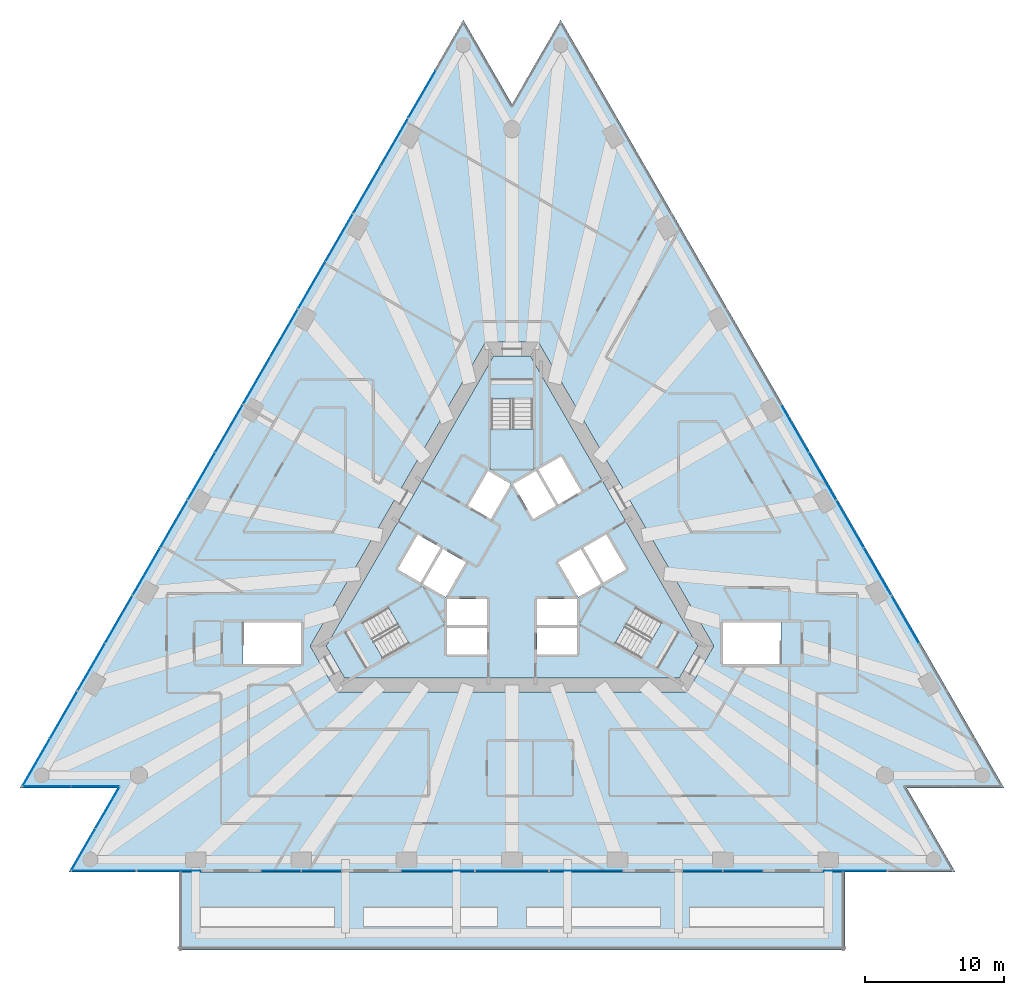
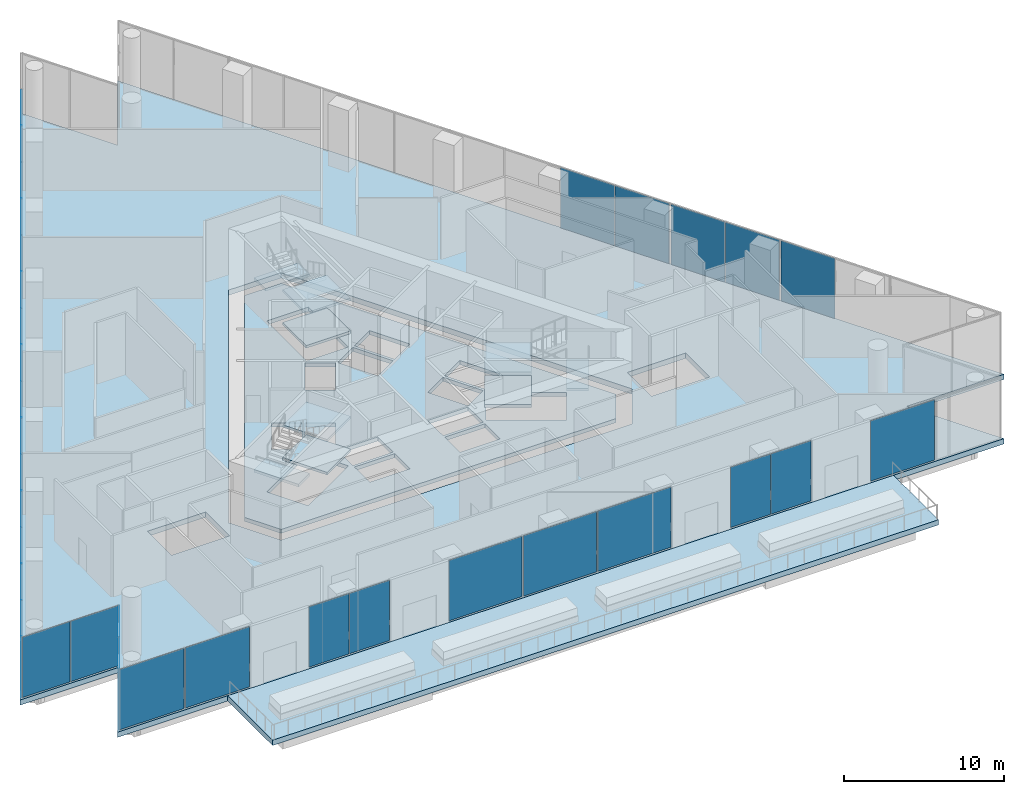
# One storey, part 20 of 28: 34 plates, 12 slabs, 24 elements without a shape of their own.
"""IFC4 building model written with IfcOpenShell, lengths in metres."""

from ifc_helpers import new_model, si_unit, direction, frame, origin, origin_2d, place, context, subcontext, project, spatial, polyline, rectangle, outline, extrude, material, layer, layer_set, layer_usage, type_object, element, aggregate, save


model = new_model("IFC4")

# Units and contexts
model_context = context("Model", 3, precision=1e-05, world=origin(), true_north=direction((0.0, 1.0)))
body_context = subcontext(model_context, "Body", "Model", "MODEL_VIEW")
ifc_project = project(units=[si_unit("LENGTHUNIT", "METRE"), si_unit("AREAUNIT", "SQUARE_METRE"), si_unit("VOLUMEUNIT", "CUBIC_METRE"), si_unit("PLANEANGLEUNIT", "RADIAN"), si_unit("MASSUNIT", "GRAM", prefix="KILO")], contexts=[model_context])

# Site, building, storey
site_placement = place(None, origin())
site = spatial("IfcSite", under=ifc_project, at=site_placement, CompositionType="ELEMENT")
building_placement = place(site_placement, origin())
building = spatial("IfcBuilding", under=site, at=building_placement, Name="Triada Interchange Tower", CompositionType="ELEMENT")
storey_placement = place(building_placement, frame((0.0, 0.0, 30.300048828125)))
storey = spatial("IfcBuildingStorey", under=building, at=storey_placement, Name="L05", CompositionType="ELEMENT", Elevation=30.300048828125)

# Slab
ifc_material_1 = material(Name="Concrete C50/60", Category="concrete")
ifc_layer_1 = layer(ifc_material_1, 0.300048828125)
ifc_layer_set_1 = layer_set([ifc_layer_1], Name="Floor slab 300")
slab_type_1 = type_object("IfcSlabType", Name="Floor slab 300", PredefinedType="FLOOR", material=ifc_layer_set_1)
slab_1_placement = place(storey_placement, frame((0.0, 0.0, -0.300048828125)))
element("IfcSlab", 1, at=slab_1_placement, inside=storey, type_object=slab_type_1, Name="Core floor slab L05 1", PredefinedType="FLOOR", context=body_context, shape_type="SweptSolid", body=[
    extrude(outline(polyline([(13.39501953125, -6.199951171875), (12.06689453125, -8.5), (-12.06689453125, -8.5), (-13.39501953125, -6.199951171875), (-1.327880859375, 14.699951171875), (1.327880859375, 14.699951171875), (13.39501953125, -6.199951171875)]), holes=[polyline([(9.2958984375, -7.09912109375), (10.7958984375, -4.5009765625), (6.466064453125, -2.0009765625), (4.966064453125, -4.59912109375), (9.2958984375, -7.09912109375)]), polyline([(6.7890625, 1.841064453125), (5.14404296875, 0.89111328125), (6.593994140625, -1.6201171875), (8.239013671875, -0.669921875), (6.7890625, 1.841064453125)]), polyline([(4.969970703125, 0.791015625), (3.324951171875, -0.158935546875), (4.77490234375, -2.669921875), (6.419921875, -1.719970703125), (4.969970703125, 0.791015625)]), polyline([(1.89404296875, 6.52001953125), (3.343994140625, 4.009033203125), (4.989013671875, 4.958984375), (3.5390625, 7.469970703125), (1.89404296875, 6.52001953125)]), polyline([(1.800048828125, -4.89990234375), (1.800048828125, -6.800048828125), (4.699951171875, -6.800048828125), (4.699951171875, -4.89990234375), (1.800048828125, -4.89990234375)]), polyline([(1.800048828125, -2.800048828125), (1.800048828125, -4.10107421875), (1.800048828125, -4.699951171875), (4.699951171875, -4.699951171875), (4.699951171875, -2.800048828125), (1.800048828125, -2.800048828125)]), polyline([(1.52490234375, 2.958984375), (1.708984375, 3.06494140625), (3.169921875, 3.908935546875), (1.719970703125, 6.419921875), (0.074951171875, 5.469970703125), (1.52490234375, 2.958984375)]), polyline([(1.5, 11.60009765625), (-1.5, 11.60009765625), (-1.5, 6.60009765625), (1.5, 6.60009765625), (1.5, 11.60009765625)]), polyline([(-1.52490234375, 2.958984375), (-0.074951171875, 5.469970703125), (-1.719970703125, 6.419921875), (-3.169921875, 3.908935546875), (-1.52490234375, 2.958984375)]), polyline([(-4.699951171875, -2.800048828125), (-4.699951171875, -4.699951171875), (-1.800048828125, -4.699951171875), (-1.800048828125, -4.10107421875), (-1.800048828125, -2.800048828125), (-4.699951171875, -2.800048828125)]), polyline([(-4.699951171875, -4.89990234375), (-4.699951171875, -6.800048828125), (-1.800048828125, -6.800048828125), (-1.800048828125, -4.89990234375), (-4.699951171875, -4.89990234375)]), polyline([(-3.324951171875, -0.158935546875), (-3.450927734375, -0.0859375), (-4.969970703125, 0.791015625), (-6.419921875, -1.719970703125), (-4.77490234375, -2.669921875), (-3.324951171875, -0.158935546875)]), polyline([(-10.7958984375, -4.5009765625), (-9.2958984375, -7.09912109375), (-4.966064453125, -4.59912109375), (-6.466064453125, -2.0009765625), (-10.7958984375, -4.5009765625)]), polyline([(-6.593994140625, -1.6201171875), (-5.14404296875, 0.89111328125), (-6.7890625, 1.841064453125), (-8.239013671875, -0.669921875), (-6.593994140625, -1.6201171875)])]), origin(), (0.0, 0.0, 1.0), 0.300048828125),
])

# Curtain wall, plate
ifc_material_2 = material(Name="Aluminium framed glazing", Category="aluminium")
ifc_layer_2 = layer(ifc_material_2, 0.199951171875)
ifc_layer_set_2 = layer_set([ifc_layer_2], Name="Curtain wall Winter garden glazing")
curtain_wall_type = type_object("IfcCurtainWallType", Name="Curtain wall Winter garden glazing", PredefinedType="NOTDEFINED", material=ifc_layer_set_2)
curtain_wall_1_placement = place(storey_placement, origin())
curtain_wall_1 = element("IfcCurtainWall", 2, at=curtain_wall_1_placement, inside=storey, type_object=curtain_wall_type, Name="Winter garden glazing CW001 L05", PredefinedType="NOTDEFINED")
ifc_material_3 = material(Name="Insulated glazing unit", Category="glass")
ifc_layer_3 = layer(ifc_material_3, 0.02392578125)
ifc_layer_set_3 = layer_set([ifc_layer_3], Name="Glazing panel Winter garden glazing 24")
plate_type = type_object("IfcPlateType", Name="Glazing panel Winter garden glazing 24", PredefinedType="CURTAIN_PANEL", material=ifc_layer_set_3)
plate_1_placement = place(storey_placement, frame((-29.424072265625, -22.39990234375, 0.0498046875), z_axis=(0.0, 0.0, 1.0), x_axis=(1.0, 0.0, 0.0)))
plate_1 = element("IfcPlate", 3, at=plate_1_placement, type_object=plate_type, Name="CW001 panel 1.1", PredefinedType="CURTAIN_PANEL", context=body_context, shape_type="SweptSolid", body=[
    extrude(rectangle(XDim=4.617919921875, YDim=0.02392578125, at=origin_2d()), origin(), (0.0, 0.0, 1.0), 4.60009765625),
])
aggregate(curtain_wall_1, [plate_1])

curtain_wall_2_placement = place(storey_placement, origin())
curtain_wall_2 = element("IfcCurtainWall", 4, at=curtain_wall_2_placement, inside=storey, type_object=curtain_wall_type, Name="Winter garden glazing CW002 L05", PredefinedType="NOTDEFINED")
plate_2_placement = place(storey_placement, frame((-24.696044921875, -22.39990234375, 0.0498046875), z_axis=(0.0, 0.0, 1.0), x_axis=(1.0, 0.0, 0.0)))
plate_2 = element("IfcPlate", 5, at=plate_2_placement, type_object=plate_type, Name="CW002 panel 1.1", PredefinedType="CURTAIN_PANEL", context=body_context, shape_type="SweptSolid", body=[
    extrude(rectangle(XDim=4.617919921875, YDim=0.02392578125, at=origin_2d()), origin(), (0.0, 0.0, 1.0), 4.60009765625),
])
aggregate(curtain_wall_2, [plate_2])

# Curtain wall, plates
curtain_wall_3_placement = place(storey_placement, origin())
curtain_wall_3 = element("IfcCurtainWall", 6, at=curtain_wall_3_placement, inside=storey, type_object=curtain_wall_type, Name="Winter garden glazing CW003 L05", PredefinedType="NOTDEFINED")
plate_3_placement = place(storey_placement, frame((-16.65185546875, -22.39990234375, 0.0498046875), z_axis=(0.0, 0.0, 1.0), x_axis=(1.0, 0.0, 0.0)))
plate_3 = element("IfcPlate", 7, at=plate_3_placement, type_object=plate_type, Name="CW003 panel 1.1", PredefinedType="CURTAIN_PANEL", context=body_context, shape_type="SweptSolid", body=[
    extrude(rectangle(XDim=2.87060546875, YDim=0.02392578125, at=origin_2d()), origin(), (0.0, 0.0, 1.0), 4.60009765625),
])
plate_4_placement = place(storey_placement, frame((-13.731201171875, -22.39990234375, 0.0498046875), z_axis=(0.0, 0.0, 1.0), x_axis=(1.0, 0.0, 0.0)))
plate_4 = element("IfcPlate", 8, at=plate_4_placement, type_object=plate_type, Name="CW003 panel 2.1", PredefinedType="CURTAIN_PANEL", context=body_context, shape_type="SweptSolid", body=[
    extrude(rectangle(XDim=2.87060546875, YDim=0.02392578125, at=origin_2d()), origin(), (0.0, 0.0, 1.0), 4.60009765625),
])
aggregate(curtain_wall_3, [plate_3, plate_4])

# Curtain wall, plate
curtain_wall_4_placement = place(storey_placement, origin())
curtain_wall_4 = element("IfcCurtainWall", 9, at=curtain_wall_4_placement, inside=storey, type_object=curtain_wall_type, Name="Winter garden glazing CW004 L05", PredefinedType="NOTDEFINED")
plate_5_placement = place(storey_placement, frame((-5.366455078125, -22.39990234375, 0.0498046875), z_axis=(0.0, 0.0, 1.0), x_axis=(1.0, 0.0, 0.0)))
plate_5 = element("IfcPlate", 10, at=plate_5_placement, type_object=plate_type, Name="CW004 panel 1.1", PredefinedType="CURTAIN_PANEL", context=body_context, shape_type="SweptSolid", body=[
    extrude(rectangle(XDim=5.259033203125, YDim=0.02392578125, at=origin_2d()), origin(), (0.0, 0.0, 1.0), 4.60009765625),
])
aggregate(curtain_wall_4, [plate_5])

curtain_wall_5_placement = place(storey_placement, origin())
curtain_wall_5 = element("IfcCurtainWall", 11, at=curtain_wall_5_placement, inside=storey, type_object=curtain_wall_type, Name="Winter garden glazing CW005 L05", PredefinedType="NOTDEFINED")
plate_6_placement = place(storey_placement, frame((0.0, -22.39990234375, 0.0498046875), z_axis=(0.0, 0.0, 1.0), x_axis=(1.0, 0.0, 0.0)))
plate_6 = element("IfcPlate", 12, at=plate_6_placement, type_object=plate_type, Name="CW005 panel 1.1", PredefinedType="CURTAIN_PANEL", context=body_context, shape_type="SweptSolid", body=[
    extrude(rectangle(XDim=5.25390625, YDim=0.02392578125, at=origin_2d()), origin(), (0.0, 0.0, 1.0), 4.60009765625),
])
aggregate(curtain_wall_5, [plate_6])

curtain_wall_6_placement = place(storey_placement, origin())
curtain_wall_6 = element("IfcCurtainWall", 13, at=curtain_wall_6_placement, inside=storey, type_object=curtain_wall_type, Name="Winter garden glazing CW006 L05", PredefinedType="NOTDEFINED")
plate_7_placement = place(storey_placement, frame((5.366455078125, -22.39990234375, 0.0498046875), z_axis=(0.0, 0.0, 1.0), x_axis=(1.0, 0.0, 0.0)))
plate_7 = element("IfcPlate", 14, at=plate_7_placement, type_object=plate_type, Name="CW006 panel 1.1", PredefinedType="CURTAIN_PANEL", context=body_context, shape_type="SweptSolid", body=[
    extrude(rectangle(XDim=5.259033203125, YDim=0.02392578125, at=origin_2d()), origin(), (0.0, 0.0, 1.0), 4.60009765625),
])
aggregate(curtain_wall_6, [plate_7])

# Curtain wall, plates
curtain_wall_7_placement = place(storey_placement, origin())
curtain_wall_7 = element("IfcCurtainWall", 15, at=curtain_wall_7_placement, inside=storey, type_object=curtain_wall_type, Name="Winter garden glazing CW007 L05", PredefinedType="NOTDEFINED")
plate_8_placement = place(storey_placement, frame((13.731201171875, -22.39990234375, 0.0498046875), z_axis=(0.0, 0.0, 1.0), x_axis=(1.0, 0.0, 0.0)))
plate_8 = element("IfcPlate", 16, at=plate_8_placement, type_object=plate_type, Name="CW007 panel 1.1", PredefinedType="CURTAIN_PANEL", context=body_context, shape_type="SweptSolid", body=[
    extrude(rectangle(XDim=2.87060546875, YDim=0.02392578125, at=origin_2d()), origin(), (0.0, 0.0, 1.0), 4.60009765625),
])
plate_9_placement = place(storey_placement, frame((16.65185546875, -22.39990234375, 0.0498046875), z_axis=(0.0, 0.0, 1.0), x_axis=(1.0, 0.0, 0.0)))
plate_9 = element("IfcPlate", 17, at=plate_9_placement, type_object=plate_type, Name="CW007 panel 2.1", PredefinedType="CURTAIN_PANEL", context=body_context, shape_type="SweptSolid", body=[
    extrude(rectangle(XDim=2.87060546875, YDim=0.02392578125, at=origin_2d()), origin(), (0.0, 0.0, 1.0), 4.60009765625),
])
aggregate(curtain_wall_7, [plate_8, plate_9])

# Curtain wall, plate
curtain_wall_8_placement = place(storey_placement, origin())
curtain_wall_8 = element("IfcCurtainWall", 18, at=curtain_wall_8_placement, inside=storey, type_object=curtain_wall_type, Name="Winter garden glazing CW008 L05", PredefinedType="NOTDEFINED")
plate_10_placement = place(storey_placement, frame((24.696044921875, -22.39990234375, 0.0498046875), z_axis=(0.0, 0.0, 1.0), x_axis=(1.0, 0.0, 0.0)))
plate_10 = element("IfcPlate", 19, at=plate_10_placement, type_object=plate_type, Name="CW008 panel 1.1", PredefinedType="CURTAIN_PANEL", context=body_context, shape_type="SweptSolid", body=[
    extrude(rectangle(XDim=4.617919921875, YDim=0.02392578125, at=origin_2d()), origin(), (0.0, 0.0, 1.0), 4.60009765625),
])
aggregate(curtain_wall_8, [plate_10])

curtain_wall_9_placement = place(storey_placement, origin())
curtain_wall_9 = element("IfcCurtainWall", 20, at=curtain_wall_9_placement, inside=storey, type_object=curtain_wall_type, Name="Winter garden glazing CW013 L05", PredefinedType="NOTDEFINED")
plate_11_placement = place(storey_placement, frame((28.345947265625, -4.2958984375, 0.0498046875), z_axis=(0.0, 0.0, 1.0), x_axis=(-0.499947913852, 0.866055473648, 0.0)))
plate_11 = element("IfcPlate", 21, at=plate_11_placement, type_object=plate_type, Name="CW013 panel 2.1", PredefinedType="CURTAIN_PANEL", context=body_context, shape_type="SweptSolid", body=[
    extrude(rectangle(XDim=3.892333984375, YDim=0.02392578125, at=origin_2d()), origin(), (0.0, 0.0, 1.0), 4.60009765625),
])
aggregate(curtain_wall_9, [plate_11])

# Curtain wall, plates
curtain_wall_10_placement = place(storey_placement, origin())
curtain_wall_10 = element("IfcCurtainWall", 22, at=curtain_wall_10_placement, inside=storey, type_object=curtain_wall_type, Name="Winter garden glazing CW014 L05", PredefinedType="NOTDEFINED")
plate_12_placement = place(storey_placement, frame((26.343994140625, -0.8291015625, 0.0498046875), z_axis=(0.0, 0.0, 1.0), x_axis=(-0.499947913852, 0.866055473648, 0.0)))
plate_12 = element("IfcPlate", 23, at=plate_12_placement, type_object=plate_type, Name="CW014 panel 1.1", PredefinedType="CURTAIN_PANEL", context=body_context, shape_type="SweptSolid", body=[
    extrude(rectangle(XDim=3.892333984375, YDim=0.02392578125, at=origin_2d()), origin(), (0.0, 0.0, 1.0), 4.60009765625),
])
plate_13_placement = place(storey_placement, frame((24.373046875, 2.585205078125, 0.0498046875), z_axis=(0.0, 0.0, 1.0), x_axis=(-0.499947913852, 0.866055473648, 0.0)))
plate_13 = element("IfcPlate", 24, at=plate_13_placement, type_object=plate_type, Name="CW014 panel 2.1", PredefinedType="CURTAIN_PANEL", context=body_context, shape_type="SweptSolid", body=[
    extrude(rectangle(XDim=3.892333984375, YDim=0.02392578125, at=origin_2d()), origin(), (0.0, 0.0, 1.0), 4.60009765625),
])
aggregate(curtain_wall_10, [plate_12, plate_13])

curtain_wall_11_placement = place(storey_placement, origin())
curtain_wall_11 = element("IfcCurtainWall", 25, at=curtain_wall_11_placement, inside=storey, type_object=curtain_wall_type, Name="Winter garden glazing CW015 L05", PredefinedType="NOTDEFINED")
plate_14_placement = place(storey_placement, frame((22.37109375, 6.052001953125, 0.0498046875), z_axis=(0.0, 0.0, 1.0), x_axis=(-0.499893351442, 0.866086968603, 0.0)))
plate_14 = element("IfcPlate", 26, at=plate_14_placement, type_object=plate_type, Name="CW015 panel 1.1", PredefinedType="CURTAIN_PANEL", context=body_context, shape_type="SweptSolid", body=[
    extrude(rectangle(XDim=3.892822265625, YDim=0.02392578125, at=origin_2d()), origin(), (0.0, 0.0, 1.0), 4.60009765625),
])
plate_15_placement = place(storey_placement, frame((20.39990234375, 9.467041015625, 0.0498046875), z_axis=(0.0, 0.0, 1.0), x_axis=(-0.499893351442, 0.866086968603, 0.0)))
plate_15 = element("IfcPlate", 27, at=plate_15_placement, type_object=plate_type, Name="CW015 panel 2.1", PredefinedType="CURTAIN_PANEL", context=body_context, shape_type="SweptSolid", body=[
    extrude(rectangle(XDim=3.892822265625, YDim=0.02392578125, at=origin_2d()), origin(), (0.0, 0.0, 1.0), 4.60009765625),
])
aggregate(curtain_wall_11, [plate_14, plate_15])

# Curtain wall, plate
curtain_wall_12_placement = place(storey_placement, origin())
curtain_wall_12 = element("IfcCurtainWall", 28, at=curtain_wall_12_placement, inside=storey, type_object=curtain_wall_type, Name="Winter garden glazing CW022 L05", PredefinedType="NOTDEFINED")
plate_16_placement = place(storey_placement, frame((-6.478271484375, 33.578125, 0.0498046875), z_axis=(0.0, 0.0, 1.0), x_axis=(-0.499958648825, -0.86604927658, 0.0)))
plate_16 = element("IfcPlate", 29, at=plate_16_placement, type_object=plate_type, Name="CW022 panel 2.1", PredefinedType="CURTAIN_PANEL", context=body_context, shape_type="SweptSolid", body=[
    extrude(rectangle(XDim=3.895263671875, YDim=0.02392578125, at=origin_2d()), origin(), (0.0, 0.0, 1.0), 4.60009765625),
])
aggregate(curtain_wall_12, [plate_16])

# Curtain wall, plates
curtain_wall_13_placement = place(storey_placement, origin())
curtain_wall_13 = element("IfcCurtainWall", 30, at=curtain_wall_13_placement, inside=storey, type_object=curtain_wall_type, Name="Winter garden glazing CW023 L05", PredefinedType="NOTDEFINED")
plate_17_placement = place(storey_placement, frame((-8.48095703125, 30.110107421875, 0.0498046875), z_axis=(0.0, 0.0, 1.0), x_axis=(-0.499947913852, -0.866055473648, 0.0)))
plate_17 = element("IfcPlate", 31, at=plate_17_placement, type_object=plate_type, Name="CW023 panel 1.1", PredefinedType="CURTAIN_PANEL", context=body_context, shape_type="SweptSolid", body=[
    extrude(rectangle(XDim=3.892333984375, YDim=0.02392578125, at=origin_2d()), origin(), (0.0, 0.0, 1.0), 4.60009765625),
])
plate_18_placement = place(storey_placement, frame((-10.451904296875, 26.69580078125, 0.0498046875), z_axis=(0.0, 0.0, 1.0), x_axis=(-0.499947913852, -0.866055473648, 0.0)))
plate_18 = element("IfcPlate", 32, at=plate_18_placement, type_object=plate_type, Name="CW023 panel 2.1", PredefinedType="CURTAIN_PANEL", context=body_context, shape_type="SweptSolid", body=[
    extrude(rectangle(XDim=3.892333984375, YDim=0.02392578125, at=origin_2d()), origin(), (0.0, 0.0, 1.0), 4.60009765625),
])
aggregate(curtain_wall_13, [plate_17, plate_18])

curtain_wall_14_placement = place(storey_placement, origin())
curtain_wall_14 = element("IfcCurtainWall", 33, at=curtain_wall_14_placement, inside=storey, type_object=curtain_wall_type, Name="Winter garden glazing CW024 L05", PredefinedType="NOTDEFINED")
plate_19_placement = place(storey_placement, frame((-12.4541015625, 23.229248046875, 0.0498046875), z_axis=(0.0, 0.0, 1.0), x_axis=(-0.499947913852, -0.866055473648, 0.0)))
plate_19 = element("IfcPlate", 34, at=plate_19_placement, type_object=plate_type, Name="CW024 panel 1.1", PredefinedType="CURTAIN_PANEL", context=body_context, shape_type="SweptSolid", body=[
    extrude(rectangle(XDim=3.892333984375, YDim=0.02392578125, at=origin_2d()), origin(), (0.0, 0.0, 1.0), 4.60009765625),
])
plate_20_placement = place(storey_placement, frame((-14.425048828125, 19.81494140625, 0.0498046875), z_axis=(0.0, 0.0, 1.0), x_axis=(-0.499947913852, -0.866055473648, 0.0)))
plate_20 = element("IfcPlate", 35, at=plate_20_placement, type_object=plate_type, Name="CW024 panel 2.1", PredefinedType="CURTAIN_PANEL", context=body_context, shape_type="SweptSolid", body=[
    extrude(rectangle(XDim=3.892333984375, YDim=0.02392578125, at=origin_2d()), origin(), (0.0, 0.0, 1.0), 4.60009765625),
])
aggregate(curtain_wall_14, [plate_19, plate_20])

curtain_wall_15_placement = place(storey_placement, origin())
curtain_wall_15 = element("IfcCurtainWall", 36, at=curtain_wall_15_placement, inside=storey, type_object=curtain_wall_type, Name="Winter garden glazing CW025 L05", PredefinedType="NOTDEFINED")
plate_21_placement = place(storey_placement, frame((-16.427001953125, 16.347900390625, 0.0498046875), z_axis=(0.0, 0.0, 1.0), x_axis=(-0.499893351442, -0.866086968603, 0.0)))
plate_21 = element("IfcPlate", 37, at=plate_21_placement, type_object=plate_type, Name="CW025 panel 1.1", PredefinedType="CURTAIN_PANEL", context=body_context, shape_type="SweptSolid", body=[
    extrude(rectangle(XDim=3.892822265625, YDim=0.02392578125, at=origin_2d()), origin(), (0.0, 0.0, 1.0), 4.60009765625),
])
plate_22_placement = place(storey_placement, frame((-18.39794921875, 12.93310546875, 0.0498046875), z_axis=(0.0, 0.0, 1.0), x_axis=(-0.499893351442, -0.866086968603, 0.0)))
plate_22 = element("IfcPlate", 38, at=plate_22_placement, type_object=plate_type, Name="CW025 panel 2.1", PredefinedType="CURTAIN_PANEL", context=body_context, shape_type="SweptSolid", body=[
    extrude(rectangle(XDim=3.892822265625, YDim=0.02392578125, at=origin_2d()), origin(), (0.0, 0.0, 1.0), 4.60009765625),
])
aggregate(curtain_wall_15, [plate_21, plate_22])

curtain_wall_16_placement = place(storey_placement, origin())
curtain_wall_16 = element("IfcCurtainWall", 39, at=curtain_wall_16_placement, inside=storey, type_object=curtain_wall_type, Name="Winter garden glazing CW026 L05", PredefinedType="NOTDEFINED")
plate_23_placement = place(storey_placement, frame((-20.39990234375, 9.467041015625, 0.0498046875), z_axis=(0.0, 0.0, 1.0), x_axis=(-0.499893351442, -0.866086968603, 0.0)))
plate_23 = element("IfcPlate", 40, at=plate_23_placement, type_object=plate_type, Name="CW026 panel 1.1", PredefinedType="CURTAIN_PANEL", context=body_context, shape_type="SweptSolid", body=[
    extrude(rectangle(XDim=3.892822265625, YDim=0.02392578125, at=origin_2d()), origin(), (0.0, 0.0, 1.0), 4.60009765625),
])
plate_24_placement = place(storey_placement, frame((-22.37109375, 6.052001953125, 0.0498046875), z_axis=(0.0, 0.0, 1.0), x_axis=(-0.499893351442, -0.866086968603, 0.0)))
plate_24 = element("IfcPlate", 41, at=plate_24_placement, type_object=plate_type, Name="CW026 panel 2.1", PredefinedType="CURTAIN_PANEL", context=body_context, shape_type="SweptSolid", body=[
    extrude(rectangle(XDim=3.892822265625, YDim=0.02392578125, at=origin_2d()), origin(), (0.0, 0.0, 1.0), 4.60009765625),
])
aggregate(curtain_wall_16, [plate_23, plate_24])

curtain_wall_17_placement = place(storey_placement, origin())
curtain_wall_17 = element("IfcCurtainWall", 42, at=curtain_wall_17_placement, inside=storey, type_object=curtain_wall_type, Name="Winter garden glazing CW027 L05", PredefinedType="NOTDEFINED")
plate_25_placement = place(storey_placement, frame((-24.373046875, 2.585205078125, 0.0498046875), z_axis=(0.0, 0.0, 1.0), x_axis=(-0.499947913852, -0.866055473648, 0.0)))
plate_25 = element("IfcPlate", 43, at=plate_25_placement, type_object=plate_type, Name="CW027 panel 1.1", PredefinedType="CURTAIN_PANEL", context=body_context, shape_type="SweptSolid", body=[
    extrude(rectangle(XDim=3.892333984375, YDim=0.02392578125, at=origin_2d()), origin(), (0.0, 0.0, 1.0), 4.60009765625),
])
plate_26_placement = place(storey_placement, frame((-26.343994140625, -0.8291015625, 0.0498046875), z_axis=(0.0, 0.0, 1.0), x_axis=(-0.499947913852, -0.866055473648, 0.0)))
plate_26 = element("IfcPlate", 44, at=plate_26_placement, type_object=plate_type, Name="CW027 panel 2.1", PredefinedType="CURTAIN_PANEL", context=body_context, shape_type="SweptSolid", body=[
    extrude(rectangle(XDim=3.892333984375, YDim=0.02392578125, at=origin_2d()), origin(), (0.0, 0.0, 1.0), 4.60009765625),
])
aggregate(curtain_wall_17, [plate_25, plate_26])

curtain_wall_18_placement = place(storey_placement, origin())
curtain_wall_18 = element("IfcCurtainWall", 45, at=curtain_wall_18_placement, inside=storey, type_object=curtain_wall_type, Name="Winter garden glazing CW028 L05", PredefinedType="NOTDEFINED")
plate_27_placement = place(storey_placement, frame((-28.345947265625, -4.2958984375, 0.0498046875), z_axis=(0.0, 0.0, 1.0), x_axis=(-0.499947913852, -0.866055473648, 0.0)))
plate_27 = element("IfcPlate", 46, at=plate_27_placement, type_object=plate_type, Name="CW028 panel 1.1", PredefinedType="CURTAIN_PANEL", context=body_context, shape_type="SweptSolid", body=[
    extrude(rectangle(XDim=3.892333984375, YDim=0.02392578125, at=origin_2d()), origin(), (0.0, 0.0, 1.0), 4.60009765625),
])
plate_28_placement = place(storey_placement, frame((-30.31689453125, -7.710205078125, 0.0498046875), z_axis=(0.0, 0.0, 1.0), x_axis=(-0.499947913852, -0.866055473648, 0.0)))
plate_28 = element("IfcPlate", 47, at=plate_28_placement, type_object=plate_type, Name="CW028 panel 2.1", PredefinedType="CURTAIN_PANEL", context=body_context, shape_type="SweptSolid", body=[
    extrude(rectangle(XDim=3.892333984375, YDim=0.02392578125, at=origin_2d()), origin(), (0.0, 0.0, 1.0), 4.60009765625),
])
aggregate(curtain_wall_18, [plate_27, plate_28])

curtain_wall_19_placement = place(storey_placement, origin())
curtain_wall_19 = element("IfcCurtainWall", 48, at=curtain_wall_19_placement, inside=storey, type_object=curtain_wall_type, Name="Winter garden glazing CW029 L05", PredefinedType="NOTDEFINED")
plate_29_placement = place(storey_placement, frame((-32.31982421875, -11.177978515625, 0.0498046875), z_axis=(0.0, 0.0, 1.0), x_axis=(-0.499958648825, -0.86604927658, 0.0)))
plate_29 = element("IfcPlate", 49, at=plate_29_placement, type_object=plate_type, Name="CW029 panel 1.1", PredefinedType="CURTAIN_PANEL", context=body_context, shape_type="SweptSolid", body=[
    extrude(rectangle(XDim=3.895263671875, YDim=0.02392578125, at=origin_2d()), origin(), (0.0, 0.0, 1.0), 4.60009765625),
])
plate_30_placement = place(storey_placement, frame((-34.292236328125, -14.594970703125, 0.0498046875), z_axis=(0.0, 0.0, 1.0), x_axis=(-0.499958648825, -0.86604927658, 0.0)))
plate_30 = element("IfcPlate", 50, at=plate_30_placement, type_object=plate_type, Name="CW029 panel 2.1", PredefinedType="CURTAIN_PANEL", context=body_context, shape_type="SweptSolid", body=[
    extrude(rectangle(XDim=3.895263671875, YDim=0.02392578125, at=origin_2d()), origin(), (0.0, 0.0, 1.0), 4.60009765625),
])
aggregate(curtain_wall_19, [plate_29, plate_30])

curtain_wall_20_placement = place(storey_placement, origin())
curtain_wall_20 = element("IfcCurtainWall", 51, at=curtain_wall_20_placement, inside=storey, type_object=curtain_wall_type, Name="Winter garden glazing CW030 L05", PredefinedType="NOTDEFINED")
plate_31_placement = place(storey_placement, frame((-33.524658203125, -16.324951171875, 0.0498046875), z_axis=(0.0, 0.0, 1.0), x_axis=(1.0, 0.0, 0.0)))
plate_31 = element("IfcPlate", 52, at=plate_31_placement, type_object=plate_type, Name="CW030 panel 1.1", PredefinedType="CURTAIN_PANEL", context=body_context, shape_type="SweptSolid", body=[
    extrude(rectangle(XDim=3.4326171875, YDim=0.02392578125, at=origin_2d()), origin(), (0.0, 0.0, 1.0), 4.60009765625),
])
plate_32_placement = place(storey_placement, frame((-30.042236328125, -16.324951171875, 0.0498046875), z_axis=(0.0, 0.0, 1.0), x_axis=(1.0, 0.0, 0.0)))
plate_32 = element("IfcPlate", 53, at=plate_32_placement, type_object=plate_type, Name="CW030 panel 2.1", PredefinedType="CURTAIN_PANEL", context=body_context, shape_type="SweptSolid", body=[
    extrude(rectangle(XDim=3.4326171875, YDim=0.02392578125, at=origin_2d()), origin(), (0.0, 0.0, 1.0), 4.60009765625),
])
aggregate(curtain_wall_20, [plate_31, plate_32])

curtain_wall_21_placement = place(storey_placement, origin())
curtain_wall_21 = element("IfcCurtainWall", 54, at=curtain_wall_21_placement, inside=storey, type_object=curtain_wall_type, Name="Winter garden glazing CW031 L05", PredefinedType="NOTDEFINED")
plate_33_placement = place(storey_placement, frame((-29.158935546875, -17.8544921875, 0.0498046875), z_axis=(0.0, 0.0, 1.0), x_axis=(-0.499956922962, -0.866050272896, 0.0)))
plate_33 = element("IfcPlate", 55, at=plate_33_placement, type_object=plate_type, Name="CW031 panel 1.1", PredefinedType="CURTAIN_PANEL", context=body_context, shape_type="SweptSolid", body=[
    extrude(rectangle(XDim=3.432373046875, YDim=0.02392578125, at=origin_2d()), origin(), (0.0, 0.0, 1.0), 4.60009765625),
])
plate_34_placement = place(storey_placement, frame((-30.89990234375, -20.870361328125, 0.0498046875), z_axis=(0.0, 0.0, 1.0), x_axis=(-0.499956922962, -0.866050272896, 0.0)))
plate_34 = element("IfcPlate", 56, at=plate_34_placement, type_object=plate_type, Name="CW031 panel 2.1", PredefinedType="CURTAIN_PANEL", context=body_context, shape_type="SweptSolid", body=[
    extrude(rectangle(XDim=3.432373046875, YDim=0.02392578125, at=origin_2d()), origin(), (0.0, 0.0, 1.0), 4.60009765625),
])
aggregate(curtain_wall_21, [plate_33, plate_34])

# Slab
ifc_material_4 = material(Name="Concrete C40/50", Category="concrete")
ifc_layer_4 = layer(ifc_material_4, 0.39990234375)
ifc_layer_set_4 = layer_set([ifc_layer_4], Name="Podium slab 400")
slab_type_2 = type_object("IfcSlabType", Name="Podium slab 400", PredefinedType="FLOOR", material=ifc_layer_set_4)
slab_2_placement = place(storey_placement, frame((0.0, 0.0, -0.400146484375)))
element("IfcSlab", 57, at=slab_2_placement, inside=storey, type_object=slab_type_2, Name="Floor slab L05", PredefinedType="FLOOR", context=body_context, shape_type="SweptSolid", body=[
    extrude(outline(polyline([(-31.9560546875, -22.5), (31.9560546875, -22.5), (28.448974609375, -16.425048828125), (35.464111328125, -16.425048828125), (3.507080078125, 38.925048828125), (0.0, 32.85009765625), (-3.507080078125, 38.925048828125), (-35.464111328125, -16.425048828125), (-28.448974609375, -16.425048828125), (-31.9560546875, -22.5)]), holes=[polyline([(-15.199951171875, -7.5), (-19.39990234375, -7.5), (-19.39990234375, -4.5), (-15.199951171875, -4.5), (-15.199951171875, -7.5)]), polyline([(19.39990234375, -4.5), (19.39990234375, -7.5), (15.199951171875, -7.5), (15.199951171875, -4.5), (19.39990234375, -4.5)]), polyline([(12.64404296875, -9.5), (-12.64404296875, -9.5), (-14.549072265625, -6.199951171875), (-1.905029296875, 15.699951171875), (1.905029296875, 15.699951171875), (14.549072265625, -6.199951171875), (12.64404296875, -9.5)])]), origin(), (0.0, 0.0, 1.0), 0.400146484375),
])

# Stair, slabs
ifc_material_5 = material(Name="Concrete C35/45", Category="concrete")
stair_type = type_object("IfcStairType", Name="HALF TURN STAIR 1400", PredefinedType="HALF_TURN_STAIR", material=ifc_material_5)
stair_1_placement = place(storey_placement, origin())
stair_1 = element("IfcStair", 58, at=stair_1_placement, inside=storey, type_object=stair_type, Name="Exit stair S05-1", PredefinedType="HALF_TURN_STAIR")
ifc_layer_5 = layer(ifc_material_5, 0.199951171875)
ifc_layer_set_5 = layer_set([ifc_layer_5], Name="STAIR LANDING 200")
slab_type_3 = type_object("IfcSlabType", Name="STAIR LANDING 200", PredefinedType="LANDING", material=ifc_layer_set_5)
slab_3_placement = place(storey_placement, frame((0.0, 0.0, 1.050048828125)))
slab_3 = element("IfcSlab", 59, at=slab_3_placement, type_object=slab_type_3, Name="S05-1 landing 1", PredefinedType="LANDING", context=body_context, shape_type="SweptSolid", body=[
    extrude(outline(polyline([(1.60009765625, 6.5), (1.60009765625, 9.429931640625), (-1.60009765625, 9.429931640625), (-1.60009765625, 6.5), (1.60009765625, 6.5)])), origin(), (0.0, 0.0, 1.0), 0.199951171875),
])
slab_4_placement = place(storey_placement, frame((0.0, 0.0, 3.550048828125)))
slab_4 = element("IfcSlab", 60, at=slab_4_placement, type_object=slab_type_3, Name="S05-1 landing 2", PredefinedType="LANDING", context=body_context, shape_type="SweptSolid", body=[
    extrude(outline(polyline([(1.60009765625, 6.5), (1.60009765625, 9.429931640625), (-1.60009765625, 9.429931640625), (-1.60009765625, 6.5), (1.60009765625, 6.5)])), origin(), (0.0, 0.0, 1.0), 0.199951171875),
])
slab_5_placement = place(storey_placement, frame((0.0, 0.0, 2.300048828125)))
slab_5 = element("IfcSlab", 61, at=slab_5_placement, type_object=slab_type_3, Name="S05-1 landing 3", PredefinedType="LANDING", context=body_context, shape_type="SweptSolid", body=[
    extrude(outline(polyline([(1.60009765625, 11.60009765625), (1.60009765625, 13.0), (-1.60009765625, 13.0), (-1.60009765625, 11.60009765625), (1.60009765625, 11.60009765625)])), origin(), (0.0, 0.0, 1.0), 0.199951171875),
])
aggregate(stair_1, [slab_3, slab_4, slab_5])

stair_2_placement = place(storey_placement, origin())
stair_2 = element("IfcStair", 62, at=stair_2_placement, inside=storey, type_object=stair_type, Name="Exit stair S05-2", PredefinedType="HALF_TURN_STAIR")
slab_6_placement = place(storey_placement, frame((0.0, 0.0, 1.050048828125)))
slab_6 = element("IfcSlab", 63, at=slab_6_placement, type_object=slab_type_3, Name="S05-2 landing 1", PredefinedType="LANDING", context=body_context, shape_type="SweptSolid", body=[
    extrude(outline(polyline([(-6.428955078125, -1.864013671875), (-8.967041015625, -3.3291015625), (-7.366943359375, -6.10107421875), (-4.8291015625, -4.635986328125), (-6.428955078125, -1.864013671875)])), origin(), (0.0, 0.0, 1.0), 0.199951171875),
])
slab_7_placement = place(storey_placement, frame((0.0, 0.0, 3.550048828125)))
slab_7 = element("IfcSlab", 64, at=slab_7_placement, type_object=slab_type_3, Name="S05-2 landing 2", PredefinedType="LANDING", context=body_context, shape_type="SweptSolid", body=[
    extrude(outline(polyline([(-6.428955078125, -1.864013671875), (-8.967041015625, -3.3291015625), (-7.366943359375, -6.10107421875), (-4.8291015625, -4.635986328125), (-6.428955078125, -1.864013671875)])), origin(), (0.0, 0.0, 1.0), 0.199951171875),
])
slab_8_placement = place(storey_placement, frame((0.0, 0.0, 2.300048828125)))
slab_8 = element("IfcSlab", 65, at=slab_8_placement, type_object=slab_type_3, Name="S05-2 landing 3", PredefinedType="LANDING", context=body_context, shape_type="SweptSolid", body=[
    extrude(outline(polyline([(-10.845947265625, -4.4140625), (-12.05810546875, -5.114013671875), (-10.4580078125, -7.885986328125), (-9.24609375, -7.18603515625), (-10.845947265625, -4.4140625)])), origin(), (0.0, 0.0, 1.0), 0.199951171875),
])
aggregate(stair_2, [slab_6, slab_7, slab_8])

stair_3_placement = place(storey_placement, origin())
stair_3 = element("IfcStair", 66, at=stair_3_placement, inside=storey, type_object=stair_type, Name="Exit stair S05-3", PredefinedType="HALF_TURN_STAIR")
slab_9_placement = place(storey_placement, frame((0.0, 0.0, 1.050048828125)))
slab_9 = element("IfcSlab", 67, at=slab_9_placement, type_object=slab_type_3, Name="S05-3 landing 1", PredefinedType="LANDING", context=body_context, shape_type="SweptSolid", body=[
    extrude(outline(polyline([(4.8291015625, -4.635986328125), (7.366943359375, -6.10107421875), (8.967041015625, -3.3291015625), (6.428955078125, -1.864013671875), (4.8291015625, -4.635986328125)])), origin(), (0.0, 0.0, 1.0), 0.199951171875),
])
slab_10_placement = place(storey_placement, frame((0.0, 0.0, 3.550048828125)))
slab_10 = element("IfcSlab", 68, at=slab_10_placement, type_object=slab_type_3, Name="S05-3 landing 2", PredefinedType="LANDING", context=body_context, shape_type="SweptSolid", body=[
    extrude(outline(polyline([(4.8291015625, -4.635986328125), (7.366943359375, -6.10107421875), (8.967041015625, -3.3291015625), (6.428955078125, -1.864013671875), (4.8291015625, -4.635986328125)])), origin(), (0.0, 0.0, 1.0), 0.199951171875),
])
slab_11_placement = place(storey_placement, frame((0.0, 0.0, 2.300048828125)))
slab_11 = element("IfcSlab", 69, at=slab_11_placement, type_object=slab_type_3, Name="S05-3 landing 3", PredefinedType="LANDING", context=body_context, shape_type="SweptSolid", body=[
    extrude(outline(polyline([(9.24609375, -7.18603515625), (10.4580078125, -7.885986328125), (12.05810546875, -5.114013671875), (10.845947265625, -4.4140625), (9.24609375, -7.18603515625)])), origin(), (0.0, 0.0, 1.0), 0.199951171875),
])
aggregate(stair_3, [slab_9, slab_10, slab_11])

# Slab
ifc_material_6 = material(Name="Concrete C30/37 paving slab", Category="concrete")
ifc_layer_6 = layer(ifc_material_6, 0.0400390625, Name="Paving slab")
ifc_material_7 = material(Name="Drainage mat")
ifc_layer_7 = layer(ifc_material_7, 0.02490234375, Name="Drainage layer")
ifc_material_8 = material(Name="Bituminous membrane")
ifc_layer_8 = layer(ifc_material_8, 0.0048828125, Name="Waterproof membrane")
ifc_material_9 = material(Name="Mineral wool")
ifc_layer_9 = layer(ifc_material_9, 0.080078125, Name="Thermal insulation")
ifc_material_10 = material(Name="Screed CT-C25-F4")
ifc_layer_10 = layer(ifc_material_10, 0.050048828125, Name="Screed to falls")
ifc_layer_11 = layer(ifc_material_4, 0.199951171875, Name="Reinforced concrete slab")
ifc_layer_set_6 = layer_set([ifc_layer_6, ifc_layer_7, ifc_layer_8, ifc_layer_9, ifc_layer_10, ifc_layer_11], Name="Terrace slab 400")
ifc_layer_usage = layer_usage(ifc_layer_set_6, "AXIS3", "POSITIVE", 0.0)
slab_type_4 = type_object("IfcSlabType", Name="Terrace slab 400", PredefinedType="FLOOR", material=ifc_layer_set_6)
slab_12_placement = place(storey_placement, frame((0.0, 0.0, -0.400146484375)))
element("IfcSlab", 70, at=slab_12_placement, inside=storey, type_object=slab_type_4, material=ifc_layer_usage, Name="Terrace slab L05 1", PredefinedType="FLOOR", context=body_context, shape_type="SweptSolid", body=[
    extrude(outline(polyline([(-24.0, -28.10009765625), (24.0, -28.10009765625), (24.0, -22.5), (-24.0, -22.5), (-24.0, -28.10009765625)])), origin(), (0.0, 0.0, 1.0), 0.400146484375),
])

save(model, "model.ifc")
